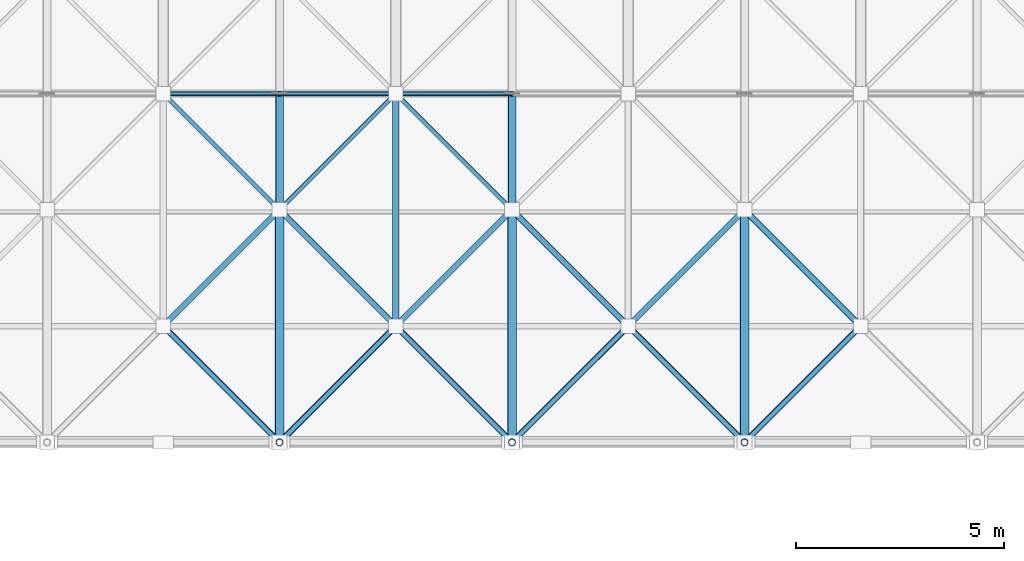
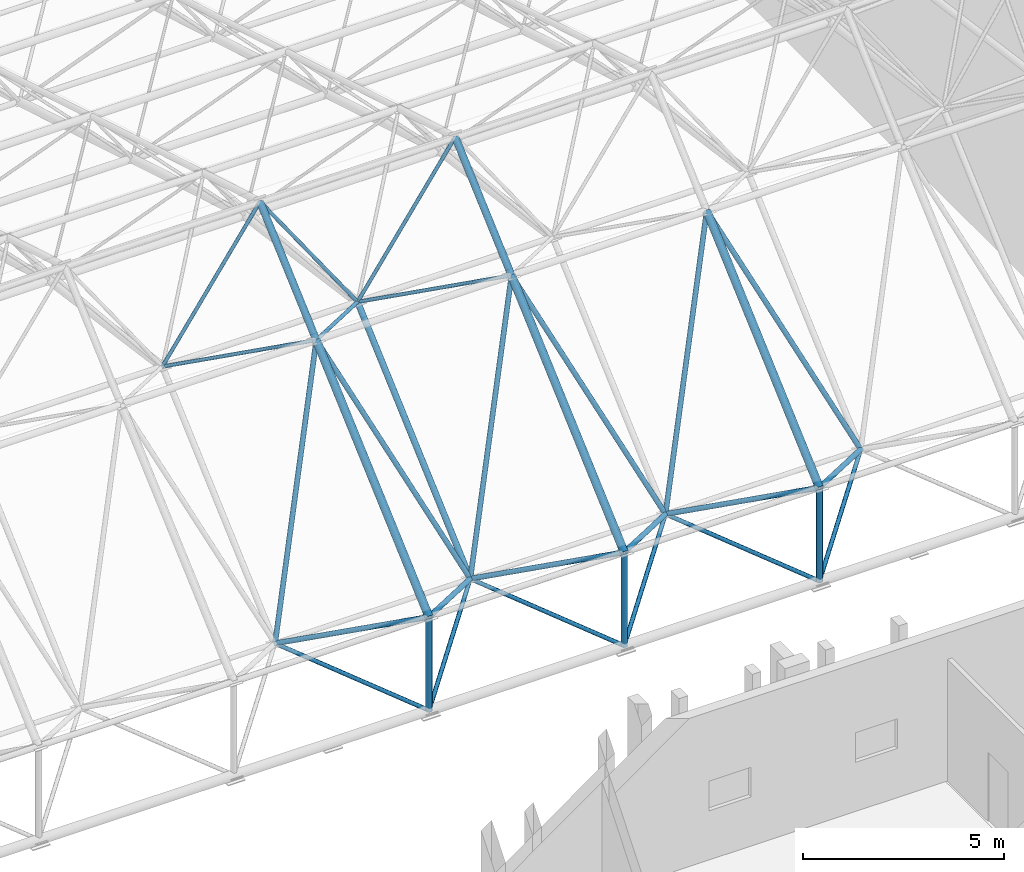
# One storey, part 35 of 100: 33 members.
"""IFC4 building model written with IfcOpenShell, lengths in metres."""

from ifc_helpers import new_model, si_unit, direction, frame, origin, origin_2d, place, context, subcontext, project, spatial, hollow_circle, extrude, material, material_profile, profile_set, type_object, element, save


model = new_model("IFC4")

# Units and contexts
model_context = context("Model", 3, precision=1e-05, world=origin(), true_north=direction((0.0, 1.0)))
body_context = subcontext(model_context, "Body", "Model", "MODEL_VIEW")
ifc_project = project(units=[si_unit("LENGTHUNIT", "METRE"), si_unit("AREAUNIT", "SQUARE_METRE"), si_unit("VOLUMEUNIT", "CUBIC_METRE"), si_unit("PLANEANGLEUNIT", "RADIAN"), si_unit("MASSUNIT", "GRAM", prefix="KILO")], contexts=[model_context])

# Site, building, storey
site_placement = place(None, origin())
site = spatial("IfcSite", under=ifc_project, at=site_placement, CompositionType="ELEMENT")
building_placement = place(site_placement, origin())
building = spatial("IfcBuilding", under=site, at=building_placement, Name="Kiln Court Media Centre", CompositionType="ELEMENT")
storey_placement = place(building_placement, frame((0.0, 0.0, 15.0)))
storey = spatial("IfcBuildingStorey", under=building, at=storey_placement, Name="L03", CompositionType="ELEMENT", Elevation=15.0)

# Members
ifc_material_1 = material(Name="Steel ASTM A500 Gr C", Category="steel")
ifc_material_profile_1 = material_profile(ifc_material_1, hollow_circle(Radius=0.05078125, WallThickness=0.0048828125, at=origin_2d()), Name="CHS 101.6x5.0")
ifc_profile_set_1 = profile_set([ifc_material_profile_1], Name="Steel ASTM A500 Gr C")
member_type_1 = type_object("IfcMemberType", Name="Steel ASTM A500 Gr C CHS 101.6x5.0 space frame brace", PredefinedType="BRACE", material=ifc_profile_set_1)
member_1_placement = place(storey_placement, frame((142.800048828125, 42.0, 6.478271484375), z_axis=(0.660047429834, -0.660047429834, 0.358712671563), x_axis=(0.707106781187, 0.707106781187, 0.0)))
element("IfcMember", 1, at=member_1_placement, inside=storey, type_object=member_type_1, Name="V2 roof diagonal 2-5 space frame brace", PredefinedType="BRACE", context=body_context, shape_type="SweptSolid", body=[
    extrude(hollow_circle(Radius=0.05078125, WallThickness=0.0048828125, at=origin_2d()), origin(), (0.0, 0.0, 1.0), 4.2421875),
])
member_2_placement = place(storey_placement, frame((142.800048828125, 42.0, 6.478271484375), z_axis=(0.571384117126, 0.0, 0.820682758864), x_axis=(0.0, 1.0, 0.0)))
element("IfcMember", 2, at=member_2_placement, inside=storey, type_object=member_type_1, Name="V2 roof ridge diagonal 2-5 space frame brace", PredefinedType="BRACE", context=body_context, shape_type="SweptSolid", body=[
    extrude(hollow_circle(Radius=0.05078125, WallThickness=0.0048828125, at=origin_2d()), origin(), (0.0, 0.0, 1.0), 4.900390625),
])
member_3_placement = place(storey_placement, frame((148.39990234375, 42.0, 6.478271484375), z_axis=(-0.660014950047, -0.660072502799, 0.358726297841), x_axis=(0.70713760873, -0.707075952299, 0.0)))
element("IfcMember", 3, at=member_3_placement, inside=storey, type_object=member_type_1, Name="V2 roof diagonal 2-6 space frame brace", PredefinedType="BRACE", context=body_context, shape_type="SweptSolid", body=[
    extrude(hollow_circle(Radius=0.05078125, WallThickness=0.0048828125, at=origin_2d()), origin(), (0.0, 0.0, 1.0), 4.241943359375),
])
member_4_placement = place(storey_placement, frame((148.39990234375, 42.0, 6.478271484375), z_axis=(0.660047429834, -0.660047429834, 0.358712671563), x_axis=(0.707106781187, 0.707106781187, 0.0)))
element("IfcMember", 4, at=member_4_placement, inside=storey, type_object=member_type_1, Name="V2 roof diagonal 2-6 space frame brace", PredefinedType="BRACE", context=body_context, shape_type="SweptSolid", body=[
    extrude(hollow_circle(Radius=0.05078125, WallThickness=0.0048828125, at=origin_2d()), origin(), (0.0, 0.0, 1.0), 4.2421875),
])
for number, where, z_axis, x_axis, name in (
    (5, (148.39990234375, 42.0, 6.478271484375), (-0.571350561003, 0.0, 0.820706120631), (0.0, -1.0, 0.0), "V2 roof ridge diagonal 2-6 space frame brace"),
    (6, (148.39990234375, 42.0, 6.478271484375), (0.571384117126, 0.0, 0.820682758864), (0.0, 1.0, 0.0), "V2 roof ridge diagonal 2-6 space frame brace"),
):
    element("IfcMember", number, at=place(storey_placement, frame(where, z_axis=z_axis, x_axis=x_axis)), inside=storey, type_object=member_type_1, Name=name, PredefinedType="BRACE", context=body_context, shape_type="SweptSolid", body=[
        extrude(hollow_circle(Radius=0.05078125, WallThickness=0.0048828125, at=origin_2d()), origin(), (0.0, 0.0, 1.0), 4.900390625),
    ])
ifc_material_2 = material(Name="Steel ASTM A500 Gr C", Category="steel")
ifc_material_profile_2 = material_profile(ifc_material_2, hollow_circle(Radius=0.05712890625, WallThickness=0.0048828125, at=origin_2d()), Name="CHS 114.3x5.0")
ifc_profile_set_2 = profile_set([ifc_material_profile_2], Name="Steel ASTM A500 Gr C")
member_type_2 = type_object("IfcMemberType", Name="Steel ASTM A500 Gr C CHS 114.3x5.0 space frame brace", PredefinedType="BRACE", material=ifc_profile_set_2)
for number, where, z_axis, x_axis, name in (
    (7, (145.60009765625, 33.60009765625, 0.16455078125), (-0.671163096856, 0.671104577098, 0.314894814211), (-0.707075952299, -0.70713760873, 0.0), "V2 roof bearing tie first 6 space frame brace"),
    (8, (145.60009765625, 33.60009765625, 0.16455078125), (0.671130936008, 0.671130936008, 0.314907182304), (-0.707106781187, 0.707106781187, 0.0), "V2 roof bearing tie first 6 space frame brace"),
    (9, (151.199951171875, 33.60009765625, 0.16455078125), (-0.671163096856, 0.671104577098, 0.314894814211), (-0.707075952299, -0.70713760873, 0.0), "V2 roof bearing tie first 7 space frame brace"),
    (10, (151.199951171875, 33.60009765625, 0.16455078125), (0.671163096856, 0.671104577098, 0.314894814211), (-0.707075952299, 0.70713760873, 0.0), "V2 roof bearing tie first 7 space frame brace"),
    (11, (156.800048828125, 33.60009765625, 0.16455078125), (-0.671163096856, 0.671104577098, 0.314894814211), (-0.707075952299, -0.70713760873, 0.0), "V2 roof bearing tie first 8 space frame brace"),
    (12, (156.800048828125, 33.60009765625, 0.16455078125), (0.671163096856, 0.671104577098, 0.314894814211), (-0.707075952299, 0.70713760873, 0.0), "V2 roof bearing tie first 8 space frame brace"),
):
    element("IfcMember", number, at=place(storey_placement, frame(where, z_axis=z_axis, x_axis=x_axis)), inside=storey, type_object=member_type_2, Name=name, PredefinedType="BRACE", context=body_context, shape_type="SweptSolid", body=[
        extrude(hollow_circle(Radius=0.05712890625, WallThickness=0.0048828125, at=origin_2d()), origin(), (0.0, 0.0, 1.0), 4.171875),
    ])
ifc_material_3 = material(Name="Steel ASTM A500 Gr C", Category="steel")
ifc_material_profile_3 = material_profile(ifc_material_3, hollow_circle(Radius=0.06982421875, WallThickness=0.0048828125, at=origin_2d()), Name="CHS 139.7x5.0")
ifc_profile_set_3 = profile_set([ifc_material_profile_3], Name="Steel ASTM A500 Gr C")
member_type_3 = type_object("IfcMemberType", Name="Steel ASTM A500 Gr C CHS 139.7x5.0 space frame brace", PredefinedType="BRACE", material=ifc_profile_set_3)
member_5_placement = place(storey_placement, frame((142.800048828125, 36.39990234375, 1.478271484375), z_axis=(0.660072502799, -0.660014950047, 0.358726297841), x_axis=(0.707075952299, 0.70713760873, 0.0)))
element("IfcMember", 13, at=member_5_placement, inside=storey, type_object=member_type_3, Name="V2 roof diagonal 1-5 space frame brace", PredefinedType="BRACE", context=body_context, shape_type="SweptSolid", body=[
    extrude(hollow_circle(Radius=0.06982421875, WallThickness=0.0048828125, at=origin_2d()), origin(), (0.0, 0.0, 1.0), 4.241943359375),
])
member_6_placement = place(storey_placement, frame((142.800048828125, 36.39990234375, 1.478271484375), z_axis=(0.366989625659, 0.366989625659, 0.854773203439), x_axis=(-0.707106781187, 0.707106781187, 0.0)))
element("IfcMember", 14, at=member_6_placement, inside=storey, type_object=member_type_3, Name="V2 roof diagonal 1-5 space frame brace", PredefinedType="BRACE", context=body_context, shape_type="SweptSolid", body=[
    extrude(hollow_circle(Radius=0.06982421875, WallThickness=0.0048828125, at=origin_2d()), origin(), (0.0, 0.0, 1.0), 7.6298828125),
])
member_7_placement = place(storey_placement, frame((148.39990234375, 36.39990234375, 1.478271484375), z_axis=(-0.660040023683, -0.660040023683, 0.358739925673), x_axis=(0.707106781187, -0.707106781187, 0.0)))
element("IfcMember", 15, at=member_7_placement, inside=storey, type_object=member_type_3, Name="V2 roof diagonal 1-6 space frame brace", PredefinedType="BRACE", context=body_context, shape_type="SweptSolid", body=[
    extrude(hollow_circle(Radius=0.06982421875, WallThickness=0.0048828125, at=origin_2d()), origin(), (0.0, 0.0, 1.0), 4.241943359375),
])
member_8_placement = place(storey_placement, frame((148.39990234375, 36.39990234375, 1.478271484375), z_axis=(-0.366961936362, 0.366993935136, 0.854783240848), x_axis=(-0.70713760873, -0.707075952299, 0.0)))
element("IfcMember", 16, at=member_8_placement, inside=storey, type_object=member_type_3, Name="V2 roof diagonal 1-6 space frame brace", PredefinedType="BRACE", context=body_context, shape_type="SweptSolid", body=[
    extrude(hollow_circle(Radius=0.06982421875, WallThickness=0.0048828125, at=origin_2d()), origin(), (0.0, 0.0, 1.0), 7.629638671875),
])
member_9_placement = place(storey_placement, frame((148.39990234375, 36.39990234375, 1.478271484375), z_axis=(0.660072502799, -0.660014950047, 0.358726297841), x_axis=(0.707075952299, 0.70713760873, 0.0)))
element("IfcMember", 17, at=member_9_placement, inside=storey, type_object=member_type_3, Name="V2 roof diagonal 1-6 space frame brace", PredefinedType="BRACE", context=body_context, shape_type="SweptSolid", body=[
    extrude(hollow_circle(Radius=0.06982421875, WallThickness=0.0048828125, at=origin_2d()), origin(), (0.0, 0.0, 1.0), 4.241943359375),
])
member_10_placement = place(storey_placement, frame((148.39990234375, 36.39990234375, 1.478271484375), z_axis=(0.366989625659, 0.366989625659, 0.854773203439), x_axis=(-0.707106781187, 0.707106781187, 0.0)))
element("IfcMember", 18, at=member_10_placement, inside=storey, type_object=member_type_3, Name="V2 roof diagonal 1-6 space frame brace", PredefinedType="BRACE", context=body_context, shape_type="SweptSolid", body=[
    extrude(hollow_circle(Radius=0.06982421875, WallThickness=0.0048828125, at=origin_2d()), origin(), (0.0, 0.0, 1.0), 7.6298828125),
])
member_11_placement = place(storey_placement, frame((154.0, 36.39990234375, 1.478271484375), z_axis=(-0.660072502799, -0.660014950047, 0.358726297841), x_axis=(0.707075952299, -0.70713760873, 0.0)))
element("IfcMember", 19, at=member_11_placement, inside=storey, type_object=member_type_3, Name="V2 roof diagonal 1-7 space frame brace", PredefinedType="BRACE", context=body_context, shape_type="SweptSolid", body=[
    extrude(hollow_circle(Radius=0.06982421875, WallThickness=0.0048828125, at=origin_2d()), origin(), (0.0, 0.0, 1.0), 4.241943359375),
])
member_12_placement = place(storey_placement, frame((154.0, 36.39990234375, 1.478271484375), z_axis=(-0.366989625659, 0.366989625659, 0.854773203439), x_axis=(-0.707106781187, -0.707106781187, 0.0)))
element("IfcMember", 20, at=member_12_placement, inside=storey, type_object=member_type_3, Name="V2 roof diagonal 1-7 space frame brace", PredefinedType="BRACE", context=body_context, shape_type="SweptSolid", body=[
    extrude(hollow_circle(Radius=0.06982421875, WallThickness=0.0048828125, at=origin_2d()), origin(), (0.0, 0.0, 1.0), 7.6298828125),
])
member_13_placement = place(storey_placement, frame((154.0, 36.39990234375, 1.478271484375), z_axis=(0.660072502799, -0.660014950047, 0.358726297841), x_axis=(0.707075952299, 0.70713760873, 0.0)))
element("IfcMember", 21, at=member_13_placement, inside=storey, type_object=member_type_3, Name="V2 roof diagonal 1-7 space frame brace", PredefinedType="BRACE", context=body_context, shape_type="SweptSolid", body=[
    extrude(hollow_circle(Radius=0.06982421875, WallThickness=0.0048828125, at=origin_2d()), origin(), (0.0, 0.0, 1.0), 4.241943359375),
])
member_14_placement = place(storey_placement, frame((154.0, 36.39990234375, 1.478271484375), z_axis=(0.366989625659, 0.366989625659, 0.854773203439), x_axis=(-0.707106781187, 0.707106781187, 0.0)))
element("IfcMember", 22, at=member_14_placement, inside=storey, type_object=member_type_3, Name="V2 roof diagonal 1-7 space frame brace", PredefinedType="BRACE", context=body_context, shape_type="SweptSolid", body=[
    extrude(hollow_circle(Radius=0.06982421875, WallThickness=0.0048828125, at=origin_2d()), origin(), (0.0, 0.0, 1.0), 7.6298828125),
])
member_15_placement = place(storey_placement, frame((159.60009765625, 36.39990234375, 1.478271484375), z_axis=(-0.660072502799, -0.660014950047, 0.358726297841), x_axis=(0.707075952299, -0.70713760873, 0.0)))
element("IfcMember", 23, at=member_15_placement, inside=storey, type_object=member_type_3, Name="V2 roof diagonal 1-8 space frame brace", PredefinedType="BRACE", context=body_context, shape_type="SweptSolid", body=[
    extrude(hollow_circle(Radius=0.06982421875, WallThickness=0.0048828125, at=origin_2d()), origin(), (0.0, 0.0, 1.0), 4.241943359375),
])
member_16_placement = place(storey_placement, frame((159.60009765625, 36.39990234375, 1.478271484375), z_axis=(-0.366989625659, 0.366989625659, 0.854773203439), x_axis=(-0.707106781187, -0.707106781187, 0.0)))
element("IfcMember", 24, at=member_16_placement, inside=storey, type_object=member_type_3, Name="V2 roof diagonal 1-8 space frame brace", PredefinedType="BRACE", context=body_context, shape_type="SweptSolid", body=[
    extrude(hollow_circle(Radius=0.06982421875, WallThickness=0.0048828125, at=origin_2d()), origin(), (0.0, 0.0, 1.0), 7.6298828125),
])
ifc_material_4 = material(Name="Steel ASTM A500 Gr C", Category="steel")
ifc_material_profile_4 = material_profile(ifc_material_4, hollow_circle(Radius=0.084228515625, WallThickness=0.00634765625, at=origin_2d()), Name="CHS 168.3x6.3")
ifc_profile_set_4 = profile_set([ifc_material_profile_4], Name="Steel ASTM A500 Gr C")
member_type_4 = type_object("IfcMemberType", Name="Steel ASTM A500 Gr C CHS 168.3x6.3 space frame chord", PredefinedType="CHORD", material=ifc_profile_set_4)
member_17_placement = place(storey_placement, frame((148.39990234375, 36.39990234375, 1.478271484375), z_axis=(0.0, 0.745943431645, 0.666009306831), x_axis=(-1.0, 0.0, 0.0)))
element("IfcMember", 25, at=member_17_placement, inside=storey, type_object=member_type_4, Name="V2 roof bottom chord across line 6 space frame chord", PredefinedType="CHORD", context=body_context, shape_type="SweptSolid", body=[
    extrude(hollow_circle(Radius=0.084228515625, WallThickness=0.00634765625, at=origin_2d()), origin(), (0.0, 0.0, 1.0), 7.50732421875),
])
ifc_material_5 = material(Name="Steel ASTM A500 Gr C", Category="steel")
ifc_material_profile_5 = material_profile(ifc_material_5, hollow_circle(Radius=0.084228515625, WallThickness=0.00634765625, at=origin_2d()), Name="CHS 168.3x6.3")
ifc_profile_set_5 = profile_set([ifc_material_profile_5], Name="Steel ASTM A500 Gr C")
member_type_5 = type_object("IfcMemberType", Name="Steel ASTM A500 Gr C CHS 168.3x6.3 space frame strut", PredefinedType="STRUT", material=ifc_profile_set_5)
for number, where, z_axis, x_axis, name in (
    (26, (145.60009765625, 33.60009765625, 0.16455078125), (0.0, 0.0, 1.0), (1.0, 0.0, 0.0), "V2 roof bearing post first 6 space frame strut"),
    (27, (151.199951171875, 33.60009765625, 0.16455078125), (0.0, 0.0, 1.0), (1.0, 0.0, 0.0), "V2 roof bearing post first 7 space frame strut"),
    (28, (156.800048828125, 33.60009765625, 0.16455078125), (0.0, 0.0, 1.0), (1.0, 0.0, 0.0), "V2 roof bearing post first 8 space frame strut"),
):
    element("IfcMember", number, at=place(storey_placement, frame(where, z_axis=z_axis, x_axis=x_axis)), inside=storey, type_object=member_type_5, Name=name, PredefinedType="STRUT", context=body_context, shape_type="SweptSolid", body=[
        extrude(hollow_circle(Radius=0.084228515625, WallThickness=0.00634765625, at=origin_2d()), origin(), (0.0, 0.0, 1.0), 2.83544921875),
    ])
ifc_material_6 = material(Name="Steel ASTM A500 Gr C", Category="steel")
ifc_material_profile_6 = material_profile(ifc_material_6, hollow_circle(Radius=0.096923828125, WallThickness=0.008056640625, at=origin_2d()), Name="CHS 193.7x8.0")
ifc_profile_set_6 = profile_set([ifc_material_profile_6], Name="Steel ASTM A500 Gr C")
member_type_6 = type_object("IfcMemberType", Name="Steel ASTM A500 Gr C CHS 193.7x8.0 space frame chord", PredefinedType="CHORD", material=ifc_profile_set_6)
for number, where, z_axis, x_axis, name in (
    (29, (145.60009765625, 39.199951171875, 8.0), (0.0, 0.745943431645, 0.666009306831), (-1.0, 0.0, 0.0), "V2 roof top chord across line 6 space frame chord"),
    (30, (151.199951171875, 39.199951171875, 8.0), (0.0, 0.745943431645, 0.666009306831), (-1.0, 0.0, 0.0), "V2 roof top chord across line 7 space frame chord"),
):
    element("IfcMember", number, at=place(storey_placement, frame(where, z_axis=z_axis, x_axis=x_axis)), inside=storey, type_object=member_type_6, Name=name, PredefinedType="CHORD", context=body_context, shape_type="SweptSolid", body=[
        extrude(hollow_circle(Radius=0.096923828125, WallThickness=0.008056640625, at=origin_2d()), origin(), (0.0, 0.0, 1.0), 3.753662109375),
    ])
ifc_material_7 = material(Name="Steel ASTM A500 Gr C", Category="steel")
ifc_material_profile_7 = material_profile(ifc_material_7, hollow_circle(Radius=0.109619140625, WallThickness=0.008056640625, at=origin_2d()), Name="CHS 219.1x8.0")
ifc_profile_set_7 = profile_set([ifc_material_profile_7], Name="Steel ASTM A500 Gr C")
member_type_7 = type_object("IfcMemberType", Name="Steel ASTM A500 Gr C CHS 219.1x8.0 space frame chord", PredefinedType="CHORD", material=ifc_profile_set_7)
for number, where, z_axis, x_axis, name in (
    (31, (145.60009765625, 33.60009765625, 3.0), (0.0, 0.745929006282, 0.666025463167), (-1.0, 0.0, 0.0), "V2 roof top chord across line 6 space frame chord"),
    (32, (151.199951171875, 33.60009765625, 3.0), (0.0, 0.745929006282, 0.666025463167), (-1.0, 0.0, 0.0), "V2 roof top chord across line 7 space frame chord"),
    (33, (156.800048828125, 33.60009765625, 3.0), (0.0, 0.745929006282, 0.666025463167), (-1.0, 0.0, 0.0), "V2 roof top chord across line 8 space frame chord"),
):
    element("IfcMember", number, at=place(storey_placement, frame(where, z_axis=z_axis, x_axis=x_axis)), inside=storey, type_object=member_type_7, Name=name, PredefinedType="CHORD", context=body_context, shape_type="SweptSolid", body=[
        extrude(hollow_circle(Radius=0.109619140625, WallThickness=0.008056640625, at=origin_2d()), origin(), (0.0, 0.0, 1.0), 7.50732421875),
    ])

save(model, "model.ifc")
